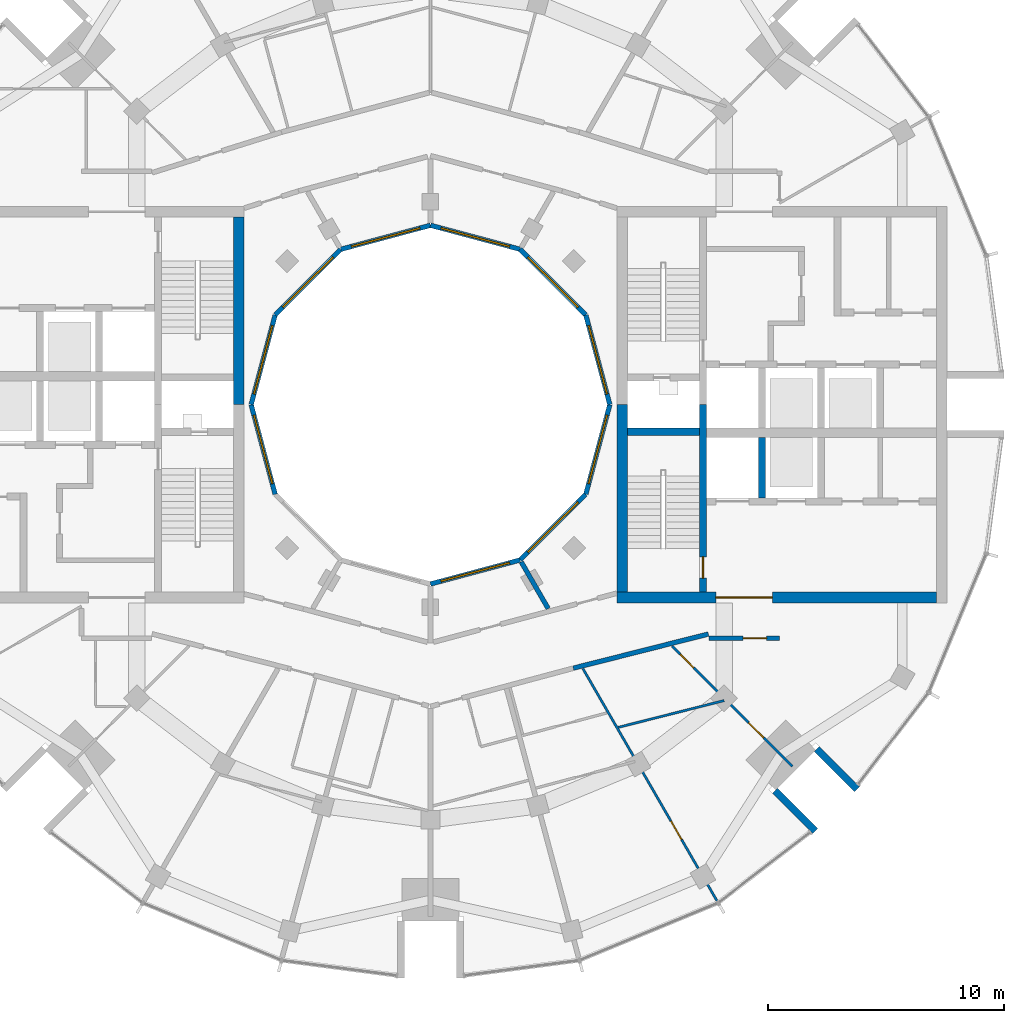
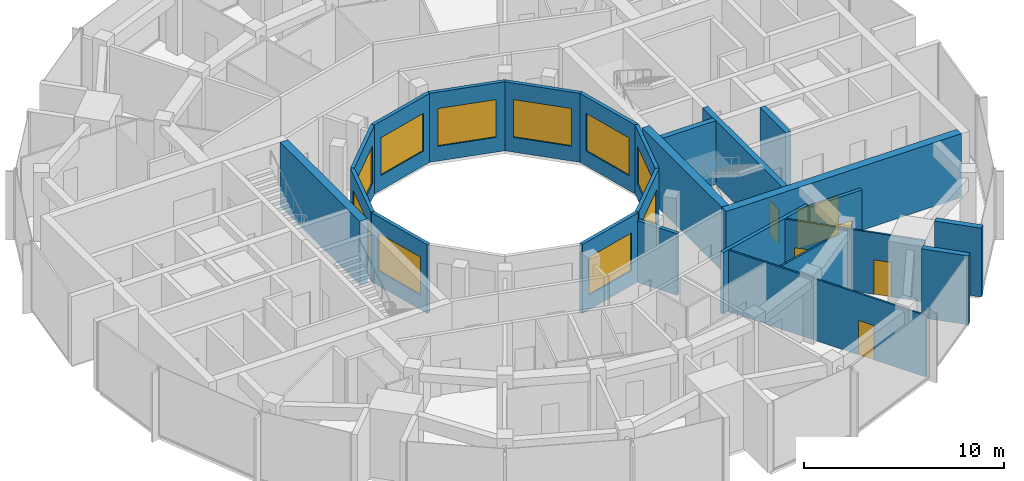
# One storey, part 10 of 15: 24 walls, 10 windows, 6 doors, 16 openings.
"""IFC4 building model written with IfcOpenShell, lengths in metres."""

from ifc_helpers import new_model, si_unit, direction, frame, frame_2d, origin, place, context, subcontext, project, spatial, rectangle, extrude, material, layer, layer_set, type_object, element, fill, save


model = new_model("IFC4")

# Units and contexts
model_context = context("Model", 3, precision=1e-05, world=origin(), true_north=direction((0.0, 1.0)))
body_context = subcontext(model_context, "Body", "Model", "MODEL_VIEW")
ifc_project = project(units=[si_unit("LENGTHUNIT", "METRE"), si_unit("AREAUNIT", "SQUARE_METRE"), si_unit("VOLUMEUNIT", "CUBIC_METRE"), si_unit("PLANEANGLEUNIT", "RADIAN"), si_unit("MASSUNIT", "GRAM", prefix="KILO")], contexts=[model_context])

# Site, building, storey
site_placement = place(None, origin())
site = spatial("IfcSite", under=ifc_project, at=site_placement, CompositionType="ELEMENT")
building_placement = place(site_placement, origin())
building = spatial("IfcBuilding", under=site, at=building_placement, Name="Torre Brocal", CompositionType="ELEMENT")
storey_placement = place(building_placement, frame((0.0, 0.0, 284.10009765625)))
storey = spatial("IfcBuildingStorey", under=building, at=storey_placement, Name="L65", CompositionType="ELEMENT", Elevation=284.10009765625)

# Wall, opening, door
ifc_material_1 = material(Name="Concrete C50", Category="concrete")
ifc_layer_1 = layer(ifc_material_1, 0.300048828125)
ifc_layer_set_1 = layer_set([ifc_layer_1], Name="Concrete C50")
wall_type_1 = type_object("IfcWallType", Name="CORE WALL 300 C50", PredefinedType="SHEAR", material=ifc_layer_set_1)
wall_1_placement = place(storey_placement, frame((91.550048828125, 67.050048828125, 0.0), z_axis=(0.0, 0.0, 1.0), x_axis=(0.0, 1.0, 0.0)))
wall_1 = element("IfcWall", 1, at=wall_1_placement, inside=storey, type_object=wall_type_1, Name="Wall CW300-50", PredefinedType="SHEAR", context=body_context, shape_type="SweptSolid", body=[
    extrude(rectangle(XDim=7.949951171875, YDim=0.300048828125, at=frame_2d((3.97509765625, 0.0))), origin(), (0.0, 0.0, 1.0), 3.8798828125),
])
opening_1_placement = place(wall_1_placement, frame((0.60009765625, 0.0, 0.0)))
opening_1 = element("IfcOpeningElement", 2, at=opening_1_placement, cuts=wall_1, Name="Opening E-D03", PredefinedType="OPENING", context=body_context, shape_type="SweptSolid", body=[
    extrude(rectangle(XDim=0.89990234375, YDim=2.10009765625, at=frame_2d((0.449951171875, 1.050048828125))), frame((0.0, 0.159912109375, 0.0), z_axis=(0.0, -1.0, 0.0), x_axis=(1.0, 0.0, 0.0)), (0.0, 0.0, 1.0), 0.320068359375),
])
ifc_material_2 = material(Name="Steel A653", Category="steel")
door_type_1 = type_object("IfcDoorType", Name="STAIR DOOR FD120 900X2100", OperationType="SINGLE_SWING_RIGHT", PredefinedType="DOOR", material=ifc_material_2)
door_1_placement = place(opening_1_placement, origin())
door_1 = element("IfcDoor", 3, at=door_1_placement, inside=storey, type_object=door_type_1, Name="Door E-D03", OperationType="SINGLE_SWING_LEFT", OverallHeight=2.10009765625, OverallWidth=0.89990234375, PredefinedType="DOOR", context=body_context, shape_type="SweptSolid", body=[
    extrude(rectangle(XDim=0.89990234375, YDim=2.10009765625, at=frame_2d((0.449951171875, 1.050048828125))), frame((0.0, 0.02490234375, 0.0), z_axis=(0.0, -1.0, 0.0), x_axis=(1.0, 0.0, 0.0)), (0.0, 0.0, 1.0), 0.050048828125),
])
fill(opening_1, door_1)

# Walls
wall_2_placement = place(storey_placement, frame((88.35009765625, 73.85009765625, 0.0), z_axis=(0.0, 0.0, 1.0), x_axis=(1.0, 0.0, 0.0)))
element("IfcWall", 4, at=wall_2_placement, inside=storey, type_object=wall_type_1, Name="Wall CW300-50", PredefinedType="SHEAR", context=body_context, shape_type="SweptSolid", body=[
    extrude(rectangle(XDim=3.0498046875, YDim=0.300048828125, at=frame_2d((1.52490234375, 0.0))), origin(), (0.0, 0.0, 1.0), 3.8798828125),
])
wall_3_placement = place(storey_placement, frame((94.050048828125, 71.050048828125, 0.0), z_axis=(0.0, 0.0, 1.0), x_axis=(0.0, 1.0, 0.0)))
element("IfcWall", 5, at=wall_3_placement, inside=storey, type_object=wall_type_1, Name="Wall CW300-50", PredefinedType="SHEAR", context=body_context, shape_type="SweptSolid", body=[
    extrude(rectangle(XDim=2.550048828125, YDim=0.300048828125, at=frame_2d((1.27490234375, 0.0))), origin(), (0.0, 0.0, 1.0), 3.8798828125),
])

# Wall, opening, door
ifc_material_3 = material(Name="Concrete C50", Category="concrete")
ifc_layer_2 = layer(ifc_material_3, 0.449951171875)
ifc_layer_set_2 = layer_set([ifc_layer_2], Name="Concrete C50")
wall_type_2 = type_object("IfcWallType", Name="CORE WALL 450 C50", PredefinedType="SHEAR", material=ifc_layer_set_2)
wall_4_placement = place(storey_placement, frame((87.89990234375, 66.824951171875, 0.0), z_axis=(0.0, 0.0, 1.0), x_axis=(1.0, 0.0, 0.0)))
wall_4 = element("IfcWall", 6, at=wall_4_placement, inside=storey, type_object=wall_type_2, Name="Wall CW450-50", PredefinedType="SHEAR", context=body_context, shape_type="SweptSolid", body=[
    extrude(rectangle(XDim=13.550048828125, YDim=0.449951171875, at=frame_2d((6.77490234375, 0.0))), origin(), (0.0, 0.0, 1.0), 3.8798828125),
])
opening_2_placement = place(wall_4_placement, frame((4.199951171875, 0.0, 0.0)))
opening_2 = element("IfcOpeningElement", 7, at=opening_2_placement, cuts=wall_4, Name="Opening E-D34", PredefinedType="OPENING", context=body_context, shape_type="SweptSolid", body=[
    extrude(rectangle(XDim=2.39990234375, YDim=2.39990234375, at=frame_2d((1.199951171875, 1.199951171875))), frame((0.0, 0.23486328125, 0.0), z_axis=(0.0, -1.0, 0.0), x_axis=(1.0, 0.0, 0.0)), (0.0, 0.0, 1.0), 0.469970703125),
])
ifc_material_4 = material(Name="Steel A653", Category="steel")
door_type_2 = type_object("IfcDoorType", Name="DOUBLE FIRE DOOR FD90 2400X2400", OperationType="DOUBLE_DOOR_SINGLE_SWING", PredefinedType="DOOR", material=ifc_material_4)
door_2_placement = place(opening_2_placement, origin())
door_2 = element("IfcDoor", 8, at=door_2_placement, inside=storey, type_object=door_type_2, Name="Door E-D34", OperationType="DOUBLE_DOOR_SINGLE_SWING", OverallHeight=2.39990234375, OverallWidth=2.39990234375, PredefinedType="DOOR", context=body_context, shape_type="SweptSolid", body=[
    extrude(rectangle(XDim=2.39990234375, YDim=2.39990234375, at=frame_2d((1.199951171875, 1.199951171875))), frame((0.0, 0.02490234375, 0.0), z_axis=(0.0, -1.0, 0.0), x_axis=(1.0, 0.0, 0.0)), (0.0, 0.0, 1.0), 0.050048828125),
])
fill(opening_2, door_2)

# Walls
for number, where, z_axis, x_axis, name in (
    (9, (88.125, 67.050048828125, 0.0), (0.0, 0.0, 1.0), (0.0, 1.0, 0.0), "Wall CW450-50"),
    (10, (71.875, 82.949951171875, 0.0), (0.0, 0.0, 1.0), (0.0, -1.0, 0.0), "Wall CW450-50"),
):
    element("IfcWall", number, at=place(storey_placement, frame(where, z_axis=z_axis, x_axis=x_axis)), inside=storey, type_object=wall_type_2, Name=name, PredefinedType="SHEAR", context=body_context, shape_type="SweptSolid", body=[
        extrude(rectangle(XDim=7.949951171875, YDim=0.449951171875, at=frame_2d((3.97509765625, 0.0))), origin(), (0.0, 0.0, 1.0), 3.8798828125),
    ])
ifc_material_5 = material(Name="Concrete C50", Category="concrete")
ifc_layer_3 = layer(ifc_material_5, 0.300048828125)
ifc_layer_set_3 = layer_set([ifc_layer_3], Name="Concrete C50")
wall_type_3 = type_object("IfcWallType", Name="NOTCH RETURN WALL 300 C50", PredefinedType="NOTDEFINED", material=ifc_layer_set_3)
for number, where, z_axis, x_axis, name in (
    (11, (94.601806640625, 58.63037109375, 0.0), (0.0, 0.0, 1.0), (0.707106781187, -0.707106781187, 0.0), "NOTCH RETURN WALL"),
    (12, (96.36962890625, 60.398193359375, 0.0), (0.0, 0.0, 1.0), (0.707106781187, -0.707106781187, 0.0), "NOTCH RETURN WALL"),
):
    element("IfcWall", number, at=place(storey_placement, frame(where, z_axis=z_axis, x_axis=x_axis)), inside=storey, type_object=wall_type_3, Name=name, PredefinedType="NOTDEFINED", context=body_context, shape_type="SweptSolid", body=[
        extrude(rectangle(XDim=2.41552734375, YDim=0.300048828125, at=frame_2d((1.207763671875, 0.0))), origin(), (0.0, 0.0, 1.0), 4.199951171875),
    ])

# Wall, opening, door
ifc_material_6 = material(Name="Gypsum board", Category="Gypsum")
ifc_layer_4 = layer(ifc_material_6, 0.10009765625)
ifc_layer_set_4 = layer_set([ifc_layer_4], Name="Gypsum board")
wall_type_4 = type_object("IfcWallType", Name="PARTITION 100", PredefinedType="PARTITIONING", material=ifc_layer_set_4)
wall_5_placement = place(storey_placement, frame((86.461181640625, 63.810302734375, 0.0), z_axis=(0.0, 0.0, 1.0), x_axis=(0.499933609462, -0.866063730986, 0.0)))
wall_5 = element("IfcWall", 13, at=wall_5_placement, inside=storey, type_object=wall_type_4, Name="BATHROOM WALL", PredefinedType="PARTITIONING", context=body_context, shape_type="SweptSolid", body=[
    extrude(rectangle(XDim=11.37646484375, YDim=0.10009765625, at=frame_2d((5.688232421875, 0.0))), origin(), (0.0, 0.0, 1.0), 3.75),
])
opening_3_placement = place(wall_5_placement, frame((7.4697265625, 0.0, 0.0)))
opening_3 = element("IfcOpeningElement", 14, at=opening_3_placement, cuts=wall_5, Name="Opening N01-D25", PredefinedType="OPENING", context=body_context, shape_type="SweptSolid", body=[
    extrude(rectangle(XDim=0.89990234375, YDim=2.10009765625, at=frame_2d((0.449951171875, 1.050048828125))), frame((0.0, 0.06005859375, 0.0), z_axis=(0.0, -1.0, 0.0), x_axis=(1.0, 0.0, 0.0)), (0.0, 0.0, 1.0), 0.1201171875),
])
ifc_material_7 = material(Name="Timber", Category="wood")
door_type_3 = type_object("IfcDoorType", Name="ROOM DOOR 900X2100", OperationType="SINGLE_SWING_LEFT", PredefinedType="DOOR", material=ifc_material_7)
door_3_placement = place(opening_3_placement, origin())
door_3 = element("IfcDoor", 15, at=door_3_placement, inside=storey, type_object=door_type_3, Name="N01-D25", OperationType="SINGLE_SWING_RIGHT", OverallHeight=2.10009765625, OverallWidth=0.89990234375, PredefinedType="DOOR", context=body_context, shape_type="SweptSolid", body=[
    extrude(rectangle(XDim=0.89990234375, YDim=2.10009765625, at=frame_2d((0.449951171875, 1.050048828125))), frame((0.0, 0.02490234375, 0.0), z_axis=(0.0, -1.0, 0.0), x_axis=(1.0, 0.0, 0.0)), (0.0, 0.0, 1.0), 0.050048828125),
])
fill(opening_3, door_3)

# Wall
wall_6_placement = place(storey_placement, frame((87.96630859375, 61.318603515625, 0.0), z_axis=(0.0, 0.0, 1.0), x_axis=(0.969427184869, 0.245379162189, 0.0)))
element("IfcWall", 16, at=wall_6_placement, inside=storey, type_object=wall_type_4, Name="BATHROOM WALL", PredefinedType="PARTITIONING", context=body_context, shape_type="SweptSolid", body=[
    extrude(rectangle(XDim=4.62451171875, YDim=0.10009765625, at=frame_2d((2.312255859375, 0.0))), origin(), (0.0, 0.0, 1.0), 3.75),
])

# Wall, openings, doors
wall_7_placement = place(storey_placement, frame((90.239013671875, 64.760986328125, 0.0), z_axis=(0.0, 0.0, 1.0), x_axis=(0.707106781187, -0.707106781187, 0.0)))
wall_7 = element("IfcWall", 17, at=wall_7_placement, inside=storey, type_object=wall_type_4, Name="BATHROOM WALL", PredefinedType="PARTITIONING", context=body_context, shape_type="SweptSolid", body=[
    extrude(rectangle(XDim=7.22021484375, YDim=0.10009765625, at=frame_2d((3.610107421875, 0.0))), origin(), (0.0, 0.0, 1.0), 3.75),
])
opening_4_placement = place(wall_7_placement, frame((4.591552734375, 0.0, 0.0)))
opening_4 = element("IfcOpeningElement", 18, at=opening_4_placement, cuts=wall_7, Name="Opening N01-D23", PredefinedType="OPENING", context=body_context, shape_type="SweptSolid", body=[
    extrude(rectangle(XDim=0.89990234375, YDim=2.10009765625, at=frame_2d((0.449951171875, 1.050048828125))), frame((0.0, 0.06005859375, 0.0), z_axis=(0.0, -1.0, 0.0), x_axis=(1.0, 0.0, 0.0)), (0.0, 0.0, 1.0), 0.1201171875),
])
opening_5_placement = place(wall_7_placement, frame((0.492431640625, 0.0, 0.0)))
opening_5 = element("IfcOpeningElement", 19, at=opening_5_placement, cuts=wall_7, Name="Opening N01-D24", PredefinedType="OPENING", context=body_context, shape_type="SweptSolid", body=[
    extrude(rectangle(XDim=0.800048828125, YDim=2.10009765625, at=frame_2d((0.39990234375, 1.050048828125))), frame((0.0, 0.06005859375, 0.0), z_axis=(0.0, -1.0, 0.0), x_axis=(1.0, 0.0, 0.0)), (0.0, 0.0, 1.0), 0.1201171875),
])
ifc_material_8 = material(Name="Timber", Category="wood")
door_type_4 = type_object("IfcDoorType", Name="BATHROOM DOOR 800X2100", OperationType="SINGLE_SWING_LEFT", PredefinedType="DOOR", material=ifc_material_8)
door_4_placement = place(opening_5_placement, frame((0.800048828125, 0.0, 0.0), z_axis=(0.0, 0.0, 1.0), x_axis=(-1.0, 0.0, 0.0)))
door_4 = element("IfcDoor", 20, at=door_4_placement, inside=storey, type_object=door_type_4, Name="N01-D24", OperationType="SINGLE_SWING_RIGHT", OverallHeight=2.10009765625, OverallWidth=0.800048828125, PredefinedType="DOOR", context=body_context, shape_type="SweptSolid", body=[
    extrude(rectangle(XDim=0.800048828125, YDim=2.10009765625, at=frame_2d((0.39990234375, 1.050048828125))), frame((0.0, 0.02490234375, 0.0), z_axis=(0.0, -1.0, 0.0), x_axis=(1.0, 0.0, 0.0)), (0.0, 0.0, 1.0), 0.050048828125),
])
fill(opening_5, door_4)
door_5_placement = place(opening_4_placement, origin())
door_5 = element("IfcDoor", 21, at=door_5_placement, inside=storey, type_object=door_type_3, Name="N01-D23", OperationType="SINGLE_SWING_RIGHT", OverallHeight=2.10009765625, OverallWidth=0.89990234375, PredefinedType="DOOR", context=body_context, shape_type="SweptSolid", body=[
    extrude(rectangle(XDim=0.89990234375, YDim=2.10009765625, at=frame_2d((0.449951171875, 1.050048828125))), frame((0.0, 0.02490234375, 0.0), z_axis=(0.0, -1.0, 0.0), x_axis=(1.0, 0.0, 0.0)), (0.0, 0.0, 1.0), 0.050048828125),
])
fill(opening_4, door_5)

# Walls
ifc_material_9 = material(Name="Gypsum board", Category="Gypsum")
ifc_layer_5 = layer(ifc_material_9, 0.199951171875)
ifc_layer_set_5 = layer_set([ifc_layer_5], Name="Gypsum board")
wall_type_5 = type_object("IfcWallType", Name="PARTITION 200 EI60", PredefinedType="PARTITIONING", material=ifc_layer_set_5)
wall_8_placement = place(storey_placement, frame((83.847900390625, 68.332275390625, 0.0), z_axis=(0.0, 0.0, 1.0), x_axis=(0.499953638813, -0.866052168773, 0.0)))
element("IfcWall", 22, at=wall_8_placement, inside=storey, type_object=wall_type_5, Name="SERVICE ROOM WALL", PredefinedType="PARTITIONING", context=body_context, shape_type="SweptSolid", body=[
    extrude(rectangle(XDim=2.285400390625, YDim=0.199951171875, at=frame_2d((1.142578125, 0.0))), origin(), (0.0, 0.0, 1.0), 3.75),
])
wall_9_placement = place(storey_placement, frame((86.052978515625, 63.826171875, 0.0), z_axis=(0.0, 0.0, 1.0), x_axis=(0.969490004987, 0.245130843083, 0.0)))
element("IfcWall", 23, at=wall_9_placement, inside=storey, type_object=wall_type_5, Name="FLAT ENTRANCE WALL", PredefinedType="PARTITIONING", context=body_context, shape_type="SweptSolid", body=[
    extrude(rectangle(XDim=5.907958984375, YDim=0.199951171875, at=frame_2d((2.9541015625, 0.0))), origin(), (0.0, 0.0, 1.0), 3.75),
])

# Wall, opening, door
wall_10_placement = place(storey_placement, frame((91.800048828125, 65.10009765625, 0.0), z_axis=(0.0, 0.0, 1.0), x_axis=(1.0, 0.0, 0.0)))
wall_10 = element("IfcWall", 24, at=wall_10_placement, inside=storey, type_object=wall_type_5, Name="FLAT ENTRANCE WALL", PredefinedType="PARTITIONING", context=body_context, shape_type="SweptSolid", body=[
    extrude(rectangle(XDim=3.0, YDim=0.199951171875, at=frame_2d((1.5, 0.0))), origin(), (0.0, 0.0, 1.0), 3.75),
])
opening_6_placement = place(wall_10_placement, frame((1.449951171875, 0.0, 0.0)))
opening_6 = element("IfcOpeningElement", 25, at=opening_6_placement, cuts=wall_10, Name="Opening N01-D22", PredefinedType="OPENING", context=body_context, shape_type="SweptSolid", body=[
    extrude(rectangle(XDim=1.0, YDim=2.10009765625, at=frame_2d((0.5, 1.050048828125))), frame((0.0, 0.10986328125, 0.0), z_axis=(0.0, -1.0, 0.0), x_axis=(1.0, 0.0, 0.0)), (0.0, 0.0, 1.0), 0.219970703125),
])
ifc_material_10 = material(Name="Timber", Category="wood")
door_type_5 = type_object("IfcDoorType", Name="FLAT ENTRY DOOR FD30S 1000X2100", OperationType="SINGLE_SWING_RIGHT", PredefinedType="DOOR", material=ifc_material_10)
door_6_placement = place(opening_6_placement, frame((1.0, 0.0, 0.0), z_axis=(0.0, 0.0, 1.0), x_axis=(-1.0, 0.0, 0.0)))
door_6 = element("IfcDoor", 26, at=door_6_placement, inside=storey, type_object=door_type_5, Name="N01-D22", OperationType="SINGLE_SWING_RIGHT", OverallHeight=2.10009765625, OverallWidth=1.0, PredefinedType="DOOR", context=body_context, shape_type="SweptSolid", body=[
    extrude(rectangle(XDim=1.0, YDim=2.10009765625, at=frame_2d((0.5, 1.050048828125))), frame((0.0, 0.02490234375, 0.0), z_axis=(0.0, -1.0, 0.0), x_axis=(1.0, 0.0, 0.0)), (0.0, 0.0, 1.0), 0.050048828125),
])
fill(opening_6, door_6)

# Wall, opening, window
ifc_material_11 = material(Name="Concrete C40", Category="concrete")
ifc_layer_6 = layer(ifc_material_11, 0.199951171875)
ifc_layer_set_6 = layer_set([ifc_layer_6], Name="Concrete C40")
wall_type_6 = type_object("IfcWallType", Name="WELL FACADE WALL 200", PredefinedType="NOTDEFINED", material=ifc_layer_set_6)
wall_11_placement = place(storey_placement, frame((87.603515625, 75.0, 0.0), z_axis=(0.0, 0.0, 1.0), x_axis=(-0.258789828301, 0.965933654434, 0.0)))
wall_11 = element("IfcWall", 27, at=wall_11_placement, inside=storey, type_object=wall_type_6, Name="WELL FACADE WALL", PredefinedType="NOTDEFINED", context=body_context, shape_type="SweptSolid", body=[
    extrude(rectangle(XDim=3.935791015625, YDim=0.199951171875, at=frame_2d((1.9677734375, 0.0))), origin(), (0.0, 0.0, 1.0), 4.199951171875),
])
opening_7_placement = place(wall_11_placement, frame((0.468017578125, 0.0, 0.89990234375)))
opening_7 = element("IfcOpeningElement", 28, at=opening_7_placement, cuts=wall_11, Name="Opening W1", PredefinedType="OPENING", context=body_context, shape_type="SweptSolid", body=[
    extrude(rectangle(XDim=3.0, YDim=2.300048828125, at=frame_2d((1.5, 1.14990234375))), frame((0.0, 0.10986328125, 0.0), z_axis=(0.0, -1.0, 0.0), x_axis=(1.0, 0.0, 0.0)), (0.0, 0.0, 1.0), 0.219970703125),
])
ifc_material_12 = material(Name="Aluminium and glass", Category="aluminium")
window_type = type_object("IfcWindowType", Name="WELL WINDOW 3000X2300", PartitioningType="SINGLE_PANEL", PredefinedType="WINDOW", material=ifc_material_12)
window_1_placement = place(opening_7_placement, origin())
window_1 = element("IfcWindow", 29, at=window_1_placement, inside=storey, type_object=window_type, Name="WELL WINDOW 3000X2300", OverallHeight=2.300048828125, OverallWidth=3.0, PartitioningType="SINGLE_PANEL", PredefinedType="WINDOW", context=body_context, shape_type="SweptSolid", body=[
    extrude(rectangle(XDim=3.0, YDim=2.300048828125, at=frame_2d((1.5, 1.14990234375))), frame((0.0, 0.030029296875, 0.0), z_axis=(0.0, -1.0, 0.0), x_axis=(1.0, 0.0, 0.0)), (0.0, 0.0, 1.0), 0.06005859375),
])
fill(opening_7, window_1)

wall_12_placement = place(storey_placement, frame((86.5849609375, 78.8017578125, 0.0), z_axis=(0.0, 0.0, 1.0), x_axis=(-0.707106781187, 0.707106781187, 0.0)))
wall_12 = element("IfcWall", 30, at=wall_12_placement, inside=storey, type_object=wall_type_6, Name="WELL FACADE WALL", PredefinedType="NOTDEFINED", context=body_context, shape_type="SweptSolid", body=[
    extrude(rectangle(XDim=3.93603515625, YDim=0.199951171875, at=frame_2d((1.968017578125, 0.0))), origin(), (0.0, 0.0, 1.0), 4.199951171875),
])
opening_8_placement = place(wall_12_placement, frame((0.468017578125, 0.0, 0.89990234375)))
opening_8 = element("IfcOpeningElement", 31, at=opening_8_placement, cuts=wall_12, Name="Opening W1", PredefinedType="OPENING", context=body_context, shape_type="SweptSolid", body=[
    extrude(rectangle(XDim=3.0, YDim=2.300048828125, at=frame_2d((1.5, 1.14990234375))), frame((0.0, 0.10986328125, 0.0), z_axis=(0.0, -1.0, 0.0), x_axis=(1.0, 0.0, 0.0)), (0.0, 0.0, 1.0), 0.219970703125),
])
window_2_placement = place(opening_8_placement, origin())
window_2 = element("IfcWindow", 32, at=window_2_placement, inside=storey, type_object=window_type, Name="WELL WINDOW 3000X2300", OverallHeight=2.300048828125, OverallWidth=3.0, PartitioningType="SINGLE_PANEL", PredefinedType="WINDOW", context=body_context, shape_type="SweptSolid", body=[
    extrude(rectangle(XDim=3.0, YDim=2.300048828125, at=frame_2d((1.5, 1.14990234375))), frame((0.0, 0.030029296875, 0.0), z_axis=(0.0, -1.0, 0.0), x_axis=(1.0, 0.0, 0.0)), (0.0, 0.0, 1.0), 0.06005859375),
])
fill(opening_8, window_2)

wall_13_placement = place(storey_placement, frame((83.8017578125, 81.5849609375, 0.0), z_axis=(0.0, 0.0, 1.0), x_axis=(-0.965933654434, 0.258789828301, 0.0)))
wall_13 = element("IfcWall", 33, at=wall_13_placement, inside=storey, type_object=wall_type_6, Name="WELL FACADE WALL", PredefinedType="NOTDEFINED", context=body_context, shape_type="SweptSolid", body=[
    extrude(rectangle(XDim=3.935791015625, YDim=0.199951171875, at=frame_2d((1.9677734375, 0.0))), origin(), (0.0, 0.0, 1.0), 4.199951171875),
])
opening_9_placement = place(wall_13_placement, frame((0.468017578125, 0.0, 0.89990234375)))
opening_9 = element("IfcOpeningElement", 34, at=opening_9_placement, cuts=wall_13, Name="Opening W1", PredefinedType="OPENING", context=body_context, shape_type="SweptSolid", body=[
    extrude(rectangle(XDim=3.0, YDim=2.300048828125, at=frame_2d((1.5, 1.14990234375))), frame((0.0, 0.10986328125, 0.0), z_axis=(0.0, -1.0, 0.0), x_axis=(1.0, 0.0, 0.0)), (0.0, 0.0, 1.0), 0.219970703125),
])
window_3_placement = place(opening_9_placement, origin())
window_3 = element("IfcWindow", 35, at=window_3_placement, inside=storey, type_object=window_type, Name="WELL WINDOW 3000X2300", OverallHeight=2.300048828125, OverallWidth=3.0, PartitioningType="SINGLE_PANEL", PredefinedType="WINDOW", context=body_context, shape_type="SweptSolid", body=[
    extrude(rectangle(XDim=3.0, YDim=2.300048828125, at=frame_2d((1.5, 1.14990234375))), frame((0.0, 0.030029296875, 0.0), z_axis=(0.0, -1.0, 0.0), x_axis=(1.0, 0.0, 0.0)), (0.0, 0.0, 1.0), 0.06005859375),
])
fill(opening_9, window_3)

wall_14_placement = place(storey_placement, frame((80.0, 82.603515625, 0.0), z_axis=(0.0, 0.0, 1.0), x_axis=(-0.965933654434, -0.258789828301, 0.0)))
wall_14 = element("IfcWall", 36, at=wall_14_placement, inside=storey, type_object=wall_type_6, Name="WELL FACADE WALL", PredefinedType="NOTDEFINED", context=body_context, shape_type="SweptSolid", body=[
    extrude(rectangle(XDim=3.935791015625, YDim=0.199951171875, at=frame_2d((1.9677734375, 0.0))), origin(), (0.0, 0.0, 1.0), 4.199951171875),
])
opening_10_placement = place(wall_14_placement, frame((0.468017578125, 0.0, 0.89990234375)))
opening_10 = element("IfcOpeningElement", 37, at=opening_10_placement, cuts=wall_14, Name="Opening W1", PredefinedType="OPENING", context=body_context, shape_type="SweptSolid", body=[
    extrude(rectangle(XDim=3.0, YDim=2.300048828125, at=frame_2d((1.5, 1.14990234375))), frame((0.0, 0.10986328125, 0.0), z_axis=(0.0, -1.0, 0.0), x_axis=(1.0, 0.0, 0.0)), (0.0, 0.0, 1.0), 0.219970703125),
])
window_4_placement = place(opening_10_placement, origin())
window_4 = element("IfcWindow", 38, at=window_4_placement, inside=storey, type_object=window_type, Name="WELL WINDOW 3000X2300", OverallHeight=2.300048828125, OverallWidth=3.0, PartitioningType="SINGLE_PANEL", PredefinedType="WINDOW", context=body_context, shape_type="SweptSolid", body=[
    extrude(rectangle(XDim=3.0, YDim=2.300048828125, at=frame_2d((1.5, 1.14990234375))), frame((0.0, 0.030029296875, 0.0), z_axis=(0.0, -1.0, 0.0), x_axis=(1.0, 0.0, 0.0)), (0.0, 0.0, 1.0), 0.06005859375),
])
fill(opening_10, window_4)

wall_15_placement = place(storey_placement, frame((76.1982421875, 81.5849609375, 0.0), z_axis=(0.0, 0.0, 1.0), x_axis=(-0.707106781187, -0.707106781187, 0.0)))
wall_15 = element("IfcWall", 39, at=wall_15_placement, inside=storey, type_object=wall_type_6, Name="WELL FACADE WALL", PredefinedType="NOTDEFINED", context=body_context, shape_type="SweptSolid", body=[
    extrude(rectangle(XDim=3.93603515625, YDim=0.199951171875, at=frame_2d((1.968017578125, 0.0))), origin(), (0.0, 0.0, 1.0), 4.199951171875),
])
opening_11_placement = place(wall_15_placement, frame((0.468017578125, 0.0, 0.89990234375)))
opening_11 = element("IfcOpeningElement", 40, at=opening_11_placement, cuts=wall_15, Name="Opening W1", PredefinedType="OPENING", context=body_context, shape_type="SweptSolid", body=[
    extrude(rectangle(XDim=3.0, YDim=2.300048828125, at=frame_2d((1.5, 1.14990234375))), frame((0.0, 0.10986328125, 0.0), z_axis=(0.0, -1.0, 0.0), x_axis=(1.0, 0.0, 0.0)), (0.0, 0.0, 1.0), 0.219970703125),
])
window_5_placement = place(opening_11_placement, origin())
window_5 = element("IfcWindow", 41, at=window_5_placement, inside=storey, type_object=window_type, Name="WELL WINDOW 3000X2300", OverallHeight=2.300048828125, OverallWidth=3.0, PartitioningType="SINGLE_PANEL", PredefinedType="WINDOW", context=body_context, shape_type="SweptSolid", body=[
    extrude(rectangle(XDim=3.0, YDim=2.300048828125, at=frame_2d((1.5, 1.14990234375))), frame((0.0, 0.030029296875, 0.0), z_axis=(0.0, -1.0, 0.0), x_axis=(1.0, 0.0, 0.0)), (0.0, 0.0, 1.0), 0.06005859375),
])
fill(opening_11, window_5)

wall_16_placement = place(storey_placement, frame((73.4150390625, 78.8017578125, 0.0), z_axis=(0.0, 0.0, 1.0), x_axis=(-0.258789828301, -0.965933654434, 0.0)))
wall_16 = element("IfcWall", 42, at=wall_16_placement, inside=storey, type_object=wall_type_6, Name="WELL FACADE WALL", PredefinedType="NOTDEFINED", context=body_context, shape_type="SweptSolid", body=[
    extrude(rectangle(XDim=3.935791015625, YDim=0.199951171875, at=frame_2d((1.9677734375, 0.0))), origin(), (0.0, 0.0, 1.0), 4.199951171875),
])
opening_12_placement = place(wall_16_placement, frame((0.468017578125, 0.0, 0.89990234375)))
opening_12 = element("IfcOpeningElement", 43, at=opening_12_placement, cuts=wall_16, Name="Opening W1", PredefinedType="OPENING", context=body_context, shape_type="SweptSolid", body=[
    extrude(rectangle(XDim=3.0, YDim=2.300048828125, at=frame_2d((1.5, 1.14990234375))), frame((0.0, 0.10986328125, 0.0), z_axis=(0.0, -1.0, 0.0), x_axis=(1.0, 0.0, 0.0)), (0.0, 0.0, 1.0), 0.219970703125),
])
window_6_placement = place(opening_12_placement, origin())
window_6 = element("IfcWindow", 44, at=window_6_placement, inside=storey, type_object=window_type, Name="WELL WINDOW 3000X2300", OverallHeight=2.300048828125, OverallWidth=3.0, PartitioningType="SINGLE_PANEL", PredefinedType="WINDOW", context=body_context, shape_type="SweptSolid", body=[
    extrude(rectangle(XDim=3.0, YDim=2.300048828125, at=frame_2d((1.5, 1.14990234375))), frame((0.0, 0.030029296875, 0.0), z_axis=(0.0, -1.0, 0.0), x_axis=(1.0, 0.0, 0.0)), (0.0, 0.0, 1.0), 0.06005859375),
])
fill(opening_12, window_6)

wall_17_placement = place(storey_placement, frame((72.396484375, 75.0, 0.0), z_axis=(0.0, 0.0, 1.0), x_axis=(0.258789828301, -0.965933654434, 0.0)))
wall_17 = element("IfcWall", 45, at=wall_17_placement, inside=storey, type_object=wall_type_6, Name="WELL FACADE WALL", PredefinedType="NOTDEFINED", context=body_context, shape_type="SweptSolid", body=[
    extrude(rectangle(XDim=3.935791015625, YDim=0.199951171875, at=frame_2d((1.9677734375, 0.0))), origin(), (0.0, 0.0, 1.0), 4.199951171875),
])
opening_13_placement = place(wall_17_placement, frame((0.468017578125, 0.0, 0.89990234375)))
opening_13 = element("IfcOpeningElement", 46, at=opening_13_placement, cuts=wall_17, Name="Opening W1", PredefinedType="OPENING", context=body_context, shape_type="SweptSolid", body=[
    extrude(rectangle(XDim=3.0, YDim=2.300048828125, at=frame_2d((1.5, 1.14990234375))), frame((0.0, 0.10986328125, 0.0), z_axis=(0.0, -1.0, 0.0), x_axis=(1.0, 0.0, 0.0)), (0.0, 0.0, 1.0), 0.219970703125),
])
window_7_placement = place(opening_13_placement, origin())
window_7 = element("IfcWindow", 47, at=window_7_placement, inside=storey, type_object=window_type, Name="WELL WINDOW 3000X2300", OverallHeight=2.300048828125, OverallWidth=3.0, PartitioningType="SINGLE_PANEL", PredefinedType="WINDOW", context=body_context, shape_type="SweptSolid", body=[
    extrude(rectangle(XDim=3.0, YDim=2.300048828125, at=frame_2d((1.5, 1.14990234375))), frame((0.0, 0.030029296875, 0.0), z_axis=(0.0, -1.0, 0.0), x_axis=(1.0, 0.0, 0.0)), (0.0, 0.0, 1.0), 0.06005859375),
])
fill(opening_13, window_7)

wall_18_placement = place(storey_placement, frame((80.0, 67.396484375, 0.0), z_axis=(0.0, 0.0, 1.0), x_axis=(0.965933654434, 0.258789828301, 0.0)))
wall_18 = element("IfcWall", 48, at=wall_18_placement, inside=storey, type_object=wall_type_6, Name="WELL FACADE WALL", PredefinedType="NOTDEFINED", context=body_context, shape_type="SweptSolid", body=[
    extrude(rectangle(XDim=3.935791015625, YDim=0.199951171875, at=frame_2d((1.9677734375, 0.0))), origin(), (0.0, 0.0, 1.0), 4.199951171875),
])
opening_14_placement = place(wall_18_placement, frame((0.468017578125, 0.0, 0.89990234375)))
opening_14 = element("IfcOpeningElement", 49, at=opening_14_placement, cuts=wall_18, Name="Opening W1", PredefinedType="OPENING", context=body_context, shape_type="SweptSolid", body=[
    extrude(rectangle(XDim=3.0, YDim=2.300048828125, at=frame_2d((1.5, 1.14990234375))), frame((0.0, 0.10986328125, 0.0), z_axis=(0.0, -1.0, 0.0), x_axis=(1.0, 0.0, 0.0)), (0.0, 0.0, 1.0), 0.219970703125),
])
window_8_placement = place(opening_14_placement, origin())
window_8 = element("IfcWindow", 50, at=window_8_placement, inside=storey, type_object=window_type, Name="WELL WINDOW 3000X2300", OverallHeight=2.300048828125, OverallWidth=3.0, PartitioningType="SINGLE_PANEL", PredefinedType="WINDOW", context=body_context, shape_type="SweptSolid", body=[
    extrude(rectangle(XDim=3.0, YDim=2.300048828125, at=frame_2d((1.5, 1.14990234375))), frame((0.0, 0.030029296875, 0.0), z_axis=(0.0, -1.0, 0.0), x_axis=(1.0, 0.0, 0.0)), (0.0, 0.0, 1.0), 0.06005859375),
])
fill(opening_14, window_8)

wall_19_placement = place(storey_placement, frame((83.8017578125, 68.4150390625, 0.0), z_axis=(0.0, 0.0, 1.0), x_axis=(0.707106781187, 0.707106781187, 0.0)))
wall_19 = element("IfcWall", 51, at=wall_19_placement, inside=storey, type_object=wall_type_6, Name="WELL FACADE WALL", PredefinedType="NOTDEFINED", context=body_context, shape_type="SweptSolid", body=[
    extrude(rectangle(XDim=3.93603515625, YDim=0.199951171875, at=frame_2d((1.968017578125, 0.0))), origin(), (0.0, 0.0, 1.0), 4.199951171875),
])
opening_15_placement = place(wall_19_placement, frame((0.468017578125, 0.0, 0.89990234375)))
opening_15 = element("IfcOpeningElement", 52, at=opening_15_placement, cuts=wall_19, Name="Opening W1", PredefinedType="OPENING", context=body_context, shape_type="SweptSolid", body=[
    extrude(rectangle(XDim=3.0, YDim=2.300048828125, at=frame_2d((1.5, 1.14990234375))), frame((0.0, 0.10986328125, 0.0), z_axis=(0.0, -1.0, 0.0), x_axis=(1.0, 0.0, 0.0)), (0.0, 0.0, 1.0), 0.219970703125),
])
window_9_placement = place(opening_15_placement, origin())
window_9 = element("IfcWindow", 53, at=window_9_placement, inside=storey, type_object=window_type, Name="WELL WINDOW 3000X2300", OverallHeight=2.300048828125, OverallWidth=3.0, PartitioningType="SINGLE_PANEL", PredefinedType="WINDOW", context=body_context, shape_type="SweptSolid", body=[
    extrude(rectangle(XDim=3.0, YDim=2.300048828125, at=frame_2d((1.5, 1.14990234375))), frame((0.0, 0.030029296875, 0.0), z_axis=(0.0, -1.0, 0.0), x_axis=(1.0, 0.0, 0.0)), (0.0, 0.0, 1.0), 0.06005859375),
])
fill(opening_15, window_9)

wall_20_placement = place(storey_placement, frame((86.5849609375, 71.1982421875, 0.0), z_axis=(0.0, 0.0, 1.0), x_axis=(0.258789828301, 0.965933654434, 0.0)))
wall_20 = element("IfcWall", 54, at=wall_20_placement, inside=storey, type_object=wall_type_6, Name="WELL FACADE WALL", PredefinedType="NOTDEFINED", context=body_context, shape_type="SweptSolid", body=[
    extrude(rectangle(XDim=3.935791015625, YDim=0.199951171875, at=frame_2d((1.9677734375, 0.0))), origin(), (0.0, 0.0, 1.0), 4.199951171875),
])
opening_16_placement = place(wall_20_placement, frame((0.468017578125, 0.0, 0.89990234375)))
opening_16 = element("IfcOpeningElement", 55, at=opening_16_placement, cuts=wall_20, Name="Opening W1", PredefinedType="OPENING", context=body_context, shape_type="SweptSolid", body=[
    extrude(rectangle(XDim=3.0, YDim=2.300048828125, at=frame_2d((1.5, 1.14990234375))), frame((0.0, 0.10986328125, 0.0), z_axis=(0.0, -1.0, 0.0), x_axis=(1.0, 0.0, 0.0)), (0.0, 0.0, 1.0), 0.219970703125),
])
window_10_placement = place(opening_16_placement, origin())
window_10 = element("IfcWindow", 56, at=window_10_placement, inside=storey, type_object=window_type, Name="WELL WINDOW 3000X2300", OverallHeight=2.300048828125, OverallWidth=3.0, PartitioningType="SINGLE_PANEL", PredefinedType="WINDOW", context=body_context, shape_type="SweptSolid", body=[
    extrude(rectangle(XDim=3.0, YDim=2.300048828125, at=frame_2d((1.5, 1.14990234375))), frame((0.0, 0.030029296875, 0.0), z_axis=(0.0, -1.0, 0.0), x_axis=(1.0, 0.0, 0.0)), (0.0, 0.0, 1.0), 0.06005859375),
])
fill(opening_16, window_10)

save(model, "model.ifc")
